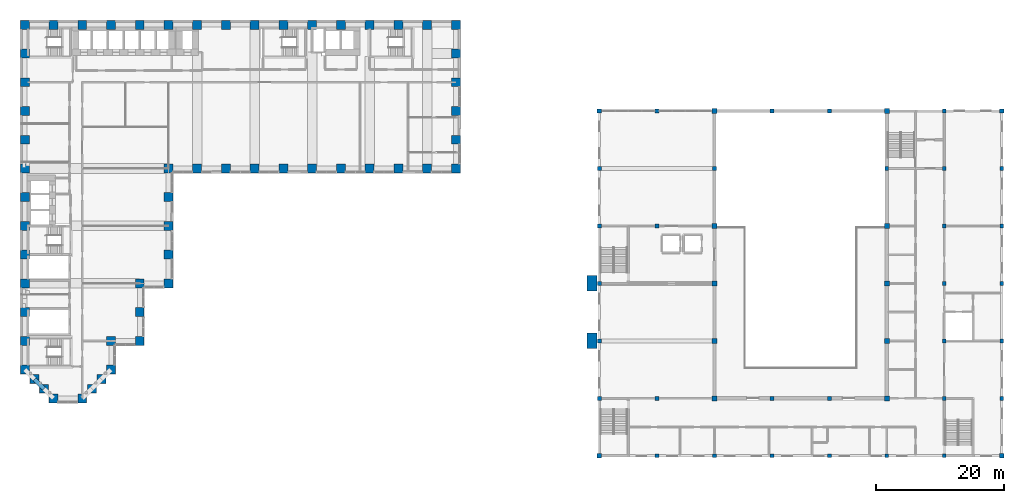
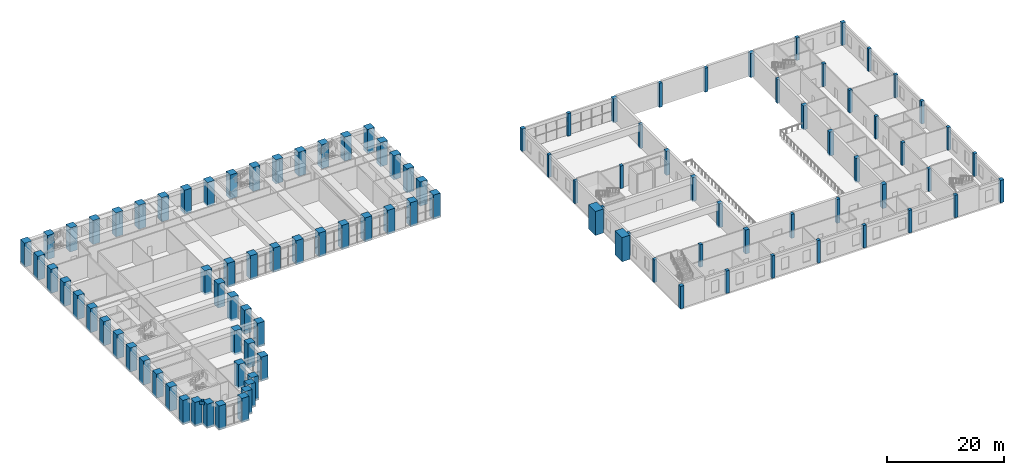
# One storey, part 1 of 34: 105 columns, 1 beam.
"""IFC4 building model written with IfcOpenShell, lengths in metres."""

from ifc_helpers import new_model, si_unit, direction, frame, origin, origin_2d, place, context, subcontext, project, spatial, rectangle, extrude, material, material_profile, profile_set, type_object, element, save


model = new_model("IFC4")

# Units and contexts
model_context = context("Model", 3, precision=1e-05, world=origin(), true_north=direction((0.0, 1.0)))
body_context = subcontext(model_context, "Body", "Model", "MODEL_VIEW")
ifc_project = project(units=[si_unit("LENGTHUNIT", "METRE"), si_unit("AREAUNIT", "SQUARE_METRE"), si_unit("VOLUMEUNIT", "CUBIC_METRE"), si_unit("PLANEANGLEUNIT", "RADIAN"), si_unit("MASSUNIT", "GRAM", prefix="KILO")], contexts=[model_context])

# Site, building, storey
site_placement = place(None, origin())
site = spatial("IfcSite", under=ifc_project, at=site_placement, CompositionType="ELEMENT")
building_placement = place(site_placement, origin())
building = spatial("IfcBuilding", under=site, at=building_placement, Name="Firuza Court", CompositionType="ELEMENT")
storey_placement = place(building_placement, frame((0.0, 0.0, 14.0)))
storey = spatial("IfcBuildingStorey", under=building, at=storey_placement, Name="L02", CompositionType="ELEMENT", Elevation=14.0)

# Columns
ifc_material_1 = material(Name="Concrete C40/50", Category="concrete")
ifc_material_profile_1 = material_profile(ifc_material_1, rectangle(XDim=0.60009765625, YDim=0.60009765625, at=origin_2d()), Name="RC 600X600")
ifc_profile_set_1 = profile_set([ifc_material_profile_1], Name="Concrete C40/50")
column_type_1 = type_object("IfcColumnType", Name="RC COLUMN 600X600", PredefinedType="COLUMN", material=ifc_profile_set_1)
for number, where, z_axis, x_axis, name in (
    (1, (90.0, 0.0, 0.0), (0.0, 0.0, 1.0), (1.0, 0.0, 0.0), "Column 1-2 L02"),
    (2, (90.0, 9.0, 0.0), (0.0, 0.0, 1.0), (1.0, 0.0, 0.0), "Column 1-3 L02"),
    (3, (90.0, 18.0, 0.0), (0.0, 0.0, 1.0), (1.0, 0.0, 0.0), "Column 1-4 L02"),
    (4, (90.0, 27.0, 0.0), (0.0, 0.0, 1.0), (1.0, 0.0, 0.0), "Column 1-5 L02"),
    (5, (90.0, 36.0, 0.0), (0.0, 0.0, 1.0), (1.0, 0.0, 0.0), "Column 1-6 L02"),
    (6, (99.0, -9.0, 0.0), (0.0, 0.0, 1.0), (1.0, 0.0, 0.0), "Column 2-1 L02"),
    (7, (99.0, 0.0, 0.0), (0.0, 0.0, 1.0), (1.0, 0.0, 0.0), "Column 2-2 L02"),
    (8, (99.0, 27.0, 0.0), (0.0, 0.0, 1.0), (1.0, 0.0, 0.0), "Column 2-5 L02"),
    (9, (99.0, 45.0, 0.0), (0.0, 0.0, 1.0), (1.0, 0.0, 0.0), "Column 2-7 L02"),
    (10, (108.0, -9.0, 0.0), (0.0, 0.0, 1.0), (1.0, 0.0, 0.0), "Column 3-1 L02"),
):
    element("IfcColumn", number, at=place(storey_placement, frame(where, z_axis=z_axis, x_axis=x_axis)), inside=storey, type_object=column_type_1, Name=name, PredefinedType="COLUMN", context=body_context, shape_type="SweptSolid", body=[
        extrude(rectangle(XDim=0.60009765625, YDim=0.60009765625, at=origin_2d()), origin(), (0.0, 0.0, 1.0), 4.699951171875),
    ])
column_1_placement = place(storey_placement, frame((108.0, 36.0, -0.300048828125), z_axis=(0.0, 0.0, 1.0), x_axis=(1.0, 0.0, 0.0)))
element("IfcColumn", 11, at=column_1_placement, inside=storey, type_object=column_type_1, Name="Column 3-6 L02", PredefinedType="COLUMN", context=body_context, shape_type="SweptSolid", body=[
    extrude(rectangle(XDim=0.60009765625, YDim=0.60009765625, at=origin_2d()), origin(), (0.0, 0.0, 1.0), 5.0),
])
column_2_placement = place(storey_placement, frame((117.0, -9.0, 0.0), z_axis=(0.0, 0.0, 1.0), x_axis=(1.0, 0.0, 0.0)))
element("IfcColumn", 12, at=column_2_placement, inside=storey, type_object=column_type_1, Name="Column 4-1 L02", PredefinedType="COLUMN", context=body_context, shape_type="SweptSolid", body=[
    extrude(rectangle(XDim=0.60009765625, YDim=0.60009765625, at=origin_2d()), origin(), (0.0, 0.0, 1.0), 4.699951171875),
])
for number, where, z_axis, x_axis, name in (
    (13, (117.0, 0.0, -0.300048828125), (0.0, 0.0, 1.0), (1.0, 0.0, 0.0), "Column 4-2 L02"),
    (14, (117.0, 45.0, -0.300048828125), (0.0, 0.0, 1.0), (1.0, 0.0, 0.0), "Column 4-7 L02"),
):
    element("IfcColumn", number, at=place(storey_placement, frame(where, z_axis=z_axis, x_axis=x_axis)), inside=storey, type_object=column_type_1, Name=name, PredefinedType="COLUMN", context=body_context, shape_type="SweptSolid", body=[
        extrude(rectangle(XDim=0.60009765625, YDim=0.60009765625, at=origin_2d()), origin(), (0.0, 0.0, 1.0), 5.0),
    ])
column_3_placement = place(storey_placement, frame((126.0, -9.0, 0.0), z_axis=(0.0, 0.0, 1.0), x_axis=(1.0, 0.0, 0.0)))
element("IfcColumn", 15, at=column_3_placement, inside=storey, type_object=column_type_1, Name="Column 5-1 L02", PredefinedType="COLUMN", context=body_context, shape_type="SweptSolid", body=[
    extrude(rectangle(XDim=0.60009765625, YDim=0.60009765625, at=origin_2d()), origin(), (0.0, 0.0, 1.0), 4.699951171875),
])
for number, where, z_axis, x_axis, name in (
    (16, (126.0, 0.0, -0.300048828125), (0.0, 0.0, 1.0), (1.0, 0.0, 0.0), "Column 5-2 L02"),
    (17, (126.0, 45.0, -0.300048828125), (0.0, 0.0, 1.0), (1.0, 0.0, 0.0), "Column 5-7 L02"),
):
    element("IfcColumn", number, at=place(storey_placement, frame(where, z_axis=z_axis, x_axis=x_axis)), inside=storey, type_object=column_type_1, Name=name, PredefinedType="COLUMN", context=body_context, shape_type="SweptSolid", body=[
        extrude(rectangle(XDim=0.60009765625, YDim=0.60009765625, at=origin_2d()), origin(), (0.0, 0.0, 1.0), 5.0),
    ])
column_4_placement = place(storey_placement, frame((135.0, -9.0, 0.0), z_axis=(0.0, 0.0, 1.0), x_axis=(1.0, 0.0, 0.0)))
element("IfcColumn", 18, at=column_4_placement, inside=storey, type_object=column_type_1, Name="Column 6-1 L02", PredefinedType="COLUMN", context=body_context, shape_type="SweptSolid", body=[
    extrude(rectangle(XDim=0.60009765625, YDim=0.60009765625, at=origin_2d()), origin(), (0.0, 0.0, 1.0), 4.699951171875),
])
column_5_placement = place(storey_placement, frame((135.0, 36.0, -0.300048828125), z_axis=(0.0, 0.0, 1.0), x_axis=(1.0, 0.0, 0.0)))
element("IfcColumn", 19, at=column_5_placement, inside=storey, type_object=column_type_1, Name="Column 6-6 L02", PredefinedType="COLUMN", context=body_context, shape_type="SweptSolid", body=[
    extrude(rectangle(XDim=0.60009765625, YDim=0.60009765625, at=origin_2d()), origin(), (0.0, 0.0, 1.0), 5.0),
])
for number, where, z_axis, x_axis, name in (
    (20, (144.0, -9.0, 0.0), (0.0, 0.0, 1.0), (1.0, 0.0, 0.0), "Column 7-1 L02"),
    (21, (144.0, 0.0, 0.0), (0.0, 0.0, 1.0), (1.0, 0.0, 0.0), "Column 7-2 L02"),
    (22, (144.0, 9.0, 0.0), (0.0, 0.0, 1.0), (1.0, 0.0, 0.0), "Column 7-3 L02"),
    (23, (144.0, 18.0, 0.0), (0.0, 0.0, 1.0), (1.0, 0.0, 0.0), "Column 7-4 L02"),
    (24, (144.0, 27.0, 0.0), (0.0, 0.0, 1.0), (1.0, 0.0, 0.0), "Column 7-5 L02"),
    (25, (144.0, 36.0, 0.0), (0.0, 0.0, 1.0), (1.0, 0.0, 0.0), "Column 7-6 L02"),
    (26, (144.0, 45.0, 0.0), (0.0, 0.0, 1.0), (1.0, 0.0, 0.0), "Column 7-7 L02"),
    (27, (153.0, 0.0, 0.0), (0.0, 0.0, 1.0), (1.0, 0.0, 0.0), "Column 8-2 L02"),
    (28, (153.0, 9.0, 0.0), (0.0, 0.0, 1.0), (1.0, 0.0, 0.0), "Column 8-3 L02"),
    (29, (153.0, 18.0, 0.0), (0.0, 0.0, 1.0), (1.0, 0.0, 0.0), "Column 8-4 L02"),
    (30, (153.0, 27.0, 0.0), (0.0, 0.0, 1.0), (1.0, 0.0, 0.0), "Column 8-5 L02"),
    (31, (153.0, 36.0, 0.0), (0.0, 0.0, 1.0), (1.0, 0.0, 0.0), "Column 8-6 L02"),
):
    element("IfcColumn", number, at=place(storey_placement, frame(where, z_axis=z_axis, x_axis=x_axis)), inside=storey, type_object=column_type_1, Name=name, PredefinedType="COLUMN", context=body_context, shape_type="SweptSolid", body=[
        extrude(rectangle(XDim=0.60009765625, YDim=0.60009765625, at=origin_2d()), origin(), (0.0, 0.0, 1.0), 4.699951171875),
    ])
ifc_material_2 = material(Name="Concrete C40/50", Category="concrete")
ifc_material_profile_2 = material_profile(ifc_material_2, rectangle(XDim=0.699951171875, YDim=0.699951171875, at=origin_2d()), Name="RC 700X700")
ifc_profile_set_2 = profile_set([ifc_material_profile_2], Name="Concrete C40/50")
column_type_2 = type_object("IfcColumnType", Name="RC COLUMN 700X700", PredefinedType="COLUMN", material=ifc_profile_set_2)
for number, where, z_axis, x_axis, name in (
    (32, (90.0, -9.0, 0.0), (0.0, 0.0, 1.0), (1.0, 0.0, 0.0), "Column 1-1 L02"),
    (33, (90.0, 45.0, 0.0), (0.0, 0.0, 1.0), (1.0, 0.0, 0.0), "Column 1-7 L02"),
    (34, (153.0, -9.0, 0.0), (0.0, 0.0, 1.0), (1.0, 0.0, 0.0), "Column 8-1 L02"),
    (35, (153.0, 45.0, 0.0), (0.0, 0.0, 1.0), (1.0, 0.0, 0.0), "Column 8-7 L02"),
):
    element("IfcColumn", number, at=place(storey_placement, frame(where, z_axis=z_axis, x_axis=x_axis)), inside=storey, type_object=column_type_2, Name=name, PredefinedType="COLUMN", context=body_context, shape_type="SweptSolid", body=[
        extrude(rectangle(XDim=0.699951171875, YDim=0.699951171875, at=origin_2d()), origin(), (0.0, 0.0, 1.0), 4.699951171875),
    ])
ifc_material_3 = material(Name="Concrete C40/50", Category="concrete")
ifc_material_profile_3 = material_profile(ifc_material_3, rectangle(XDim=0.800048828125, YDim=0.800048828125, at=origin_2d()), Name="RC 800X800")
ifc_profile_set_3 = profile_set([ifc_material_profile_3], Name="Concrete C40/50")
column_type_3 = type_object("IfcColumnType", Name="RC COLUMN 800X800", PredefinedType="COLUMN", material=ifc_profile_set_3)
for number, where, z_axis, x_axis, name in (
    (36, (108.0, 0.0, -0.300048828125), (0.0, 0.0, 1.0), (1.0, 0.0, 0.0), "Column 3-2 L02"),
    (37, (108.0, 9.0, -0.300048828125), (0.0, 0.0, 1.0), (1.0, 0.0, 0.0), "Column 3-3 L02"),
    (38, (108.0, 18.0, -0.300048828125), (0.0, 0.0, 1.0), (1.0, 0.0, 0.0), "Column 3-4 L02"),
    (39, (108.0, 27.0, -0.300048828125), (0.0, 0.0, 1.0), (1.0, 0.0, 0.0), "Column 3-5 L02"),
    (40, (108.0, 45.0, -0.300048828125), (0.0, 0.0, 1.0), (1.0, 0.0, 0.0), "Column 3-7 L02"),
    (41, (135.0, 0.0, -0.300048828125), (0.0, 0.0, 1.0), (1.0, 0.0, 0.0), "Column 6-2 L02"),
    (42, (135.0, 9.0, -0.300048828125), (0.0, 0.0, 1.0), (1.0, 0.0, 0.0), "Column 6-3 L02"),
    (43, (135.0, 18.0, -0.300048828125), (0.0, 0.0, 1.0), (1.0, 0.0, 0.0), "Column 6-4 L02"),
    (44, (135.0, 27.0, -0.300048828125), (0.0, 0.0, 1.0), (1.0, 0.0, 0.0), "Column 6-5 L02"),
    (45, (135.0, 45.0, -0.300048828125), (0.0, 0.0, 1.0), (1.0, 0.0, 0.0), "Column 6-7 L02"),
):
    element("IfcColumn", number, at=place(storey_placement, frame(where, z_axis=z_axis, x_axis=x_axis)), inside=storey, type_object=column_type_3, Name=name, PredefinedType="COLUMN", context=body_context, shape_type="SweptSolid", body=[
        extrude(rectangle(XDim=0.800048828125, YDim=0.800048828125, at=origin_2d()), origin(), (0.0, 0.0, 1.0), 5.0),
    ])
ifc_material_4 = material(Name="Concrete C40/50", Category="concrete")
ifc_material_profile_4 = material_profile(ifc_material_4, rectangle(XDim=1.60009765625, YDim=2.39990234375, at=origin_2d()), Name="RC 1600X2400")
ifc_profile_set_4 = profile_set([ifc_material_profile_4], Name="Concrete C40/50")
column_type_4 = type_object("IfcColumnType", Name="RC PORTAL PIER 1600X2400", PredefinedType="COLUMN", material=ifc_profile_set_4)
for number, where, z_axis, x_axis, name in (
    (46, (88.85009765625, 9.0, 0.0), (0.0, 0.0, 1.0), (1.0, 0.0, 0.0), "Portal pier 1 L02"),
    (47, (88.85009765625, 18.0, 0.0), (0.0, 0.0, 1.0), (1.0, 0.0, 0.0), "Portal pier 2 L02"),
):
    element("IfcColumn", number, at=place(storey_placement, frame(where, z_axis=z_axis, x_axis=x_axis)), inside=storey, type_object=column_type_4, Name=name, PredefinedType="COLUMN", context=body_context, shape_type="SweptSolid", body=[
        extrude(rectangle(XDim=1.60009765625, YDim=2.39990234375, at=origin_2d()), origin(), (0.0, 0.0, 1.0), 5.0),
    ])
ifc_material_5 = material(Name="Concrete C80/95", Category="concrete")
ifc_material_profile_5 = material_profile(ifc_material_5, rectangle(XDim=1.39990234375, YDim=1.39990234375, at=origin_2d()), Name="RC 1400x1400")
ifc_profile_set_5 = profile_set([ifc_material_profile_5], Name="Concrete C80/95")
column_type_5 = type_object("IfcColumnType", Name="Tube column RC 1400x1400 C80/95", PredefinedType="COLUMN", material=ifc_profile_set_5)
for number, where, z_axis, x_axis, name in (
    (48, (4.5, 0.0, -0.39990234375), (0.0, 0.0, 1.0), (1.0, 0.0, 0.0), "Column C-2D L02"),
    (49, (9.0, 0.0, -0.39990234375), (0.0, 0.0, 1.0), (1.0, 0.0, 0.0), "Column C-3D L02"),
    (50, (3.0, 1.5, -0.39990234375), (0.0, 0.0, 1.0), (1.0, 0.0, 0.0), "Column C-SA1 L02"),
    (51, (10.5, 1.5, -0.39990234375), (0.0, 0.0, 1.0), (1.0, 0.0, 0.0), "Column C-SA2 L02"),
    (52, (1.5, 3.0, -0.39990234375), (0.0, 0.0, 1.0), (1.0, 0.0, 0.0), "Column C-SA3 L02"),
    (53, (12.0, 3.0, -0.39990234375), (0.0, 0.0, 1.0), (1.0, 0.0, 0.0), "Column C-SA4 L02"),
    (54, (0.0, 4.5, -0.39990234375), (0.0, 0.0, 1.0), (1.0, 0.0, 0.0), "Column C-1E L02"),
    (55, (13.5, 4.5, -0.39990234375), (0.0, 0.0, 1.0), (1.0, 0.0, 0.0), "Column C-4E L02"),
    (56, (0.0, 9.0, -0.39990234375), (0.0, 0.0, 1.0), (1.0, 0.0, 0.0), "Column C-1F L02"),
    (57, (13.5, 9.0, -0.39990234375), (0.0, 0.0, 1.0), (1.0, 0.0, 0.0), "Column C-4F L02"),
    (58, (18.0, 9.0, -0.39990234375), (0.0, 0.0, 1.0), (1.0, 0.0, 0.0), "Column C-5F L02"),
    (59, (0.0, 13.5, -0.39990234375), (0.0, 0.0, 1.0), (1.0, 0.0, 0.0), "Column C-1G L02"),
    (60, (18.0, 13.5, -0.39990234375), (0.0, 0.0, 1.0), (1.0, 0.0, 0.0), "Column C-5G L02"),
    (61, (0.0, 18.0, -0.39990234375), (0.0, 0.0, 1.0), (1.0, 0.0, 0.0), "Column C-1H L02"),
    (62, (18.0, 18.0, -0.39990234375), (0.0, 0.0, 1.0), (1.0, 0.0, 0.0), "Column C-5H L02"),
    (63, (22.5, 18.0, -0.39990234375), (0.0, 0.0, 1.0), (1.0, 0.0, 0.0), "Column C-6H L02"),
    (64, (0.0, 22.5, -0.39990234375), (0.0, 0.0, 1.0), (1.0, 0.0, 0.0), "Column C-1J L02"),
    (65, (22.5, 22.5, -0.39990234375), (0.0, 0.0, 1.0), (1.0, 0.0, 0.0), "Column C-6J L02"),
    (66, (0.0, 27.0, -0.39990234375), (0.0, 0.0, 1.0), (1.0, 0.0, 0.0), "Column C-1K L02"),
    (67, (22.5, 27.0, -0.39990234375), (0.0, 0.0, 1.0), (1.0, 0.0, 0.0), "Column C-6K L02"),
    (68, (0.0, 31.5, -0.39990234375), (0.0, 0.0, 1.0), (1.0, 0.0, 0.0), "Column C-1L L02"),
    (69, (22.5, 31.5, -0.39990234375), (0.0, 0.0, 1.0), (1.0, 0.0, 0.0), "Column C-6L L02"),
    (70, (0.0, 36.0, -0.39990234375), (0.0, 0.0, 1.0), (1.0, 0.0, 0.0), "Column C-1M L02"),
    (71, (22.5, 36.0, -0.39990234375), (0.0, 0.0, 1.0), (1.0, 0.0, 0.0), "Column C-6M L02"),
    (72, (27.0, 36.0, -0.39990234375), (0.0, 0.0, 1.0), (1.0, 0.0, 0.0), "Column C-7M L02"),
    (73, (31.5, 36.0, -0.39990234375), (0.0, 0.0, 1.0), (1.0, 0.0, 0.0), "Column C-8M L02"),
    (74, (36.0, 36.0, -0.39990234375), (0.0, 0.0, 1.0), (1.0, 0.0, 0.0), "Column C-9M L02"),
    (75, (40.5, 36.0, -0.39990234375), (0.0, 0.0, 1.0), (1.0, 0.0, 0.0), "Column C-10M L02"),
    (76, (45.0, 36.0, -0.39990234375), (0.0, 0.0, 1.0), (1.0, 0.0, 0.0), "Column C-11M L02"),
    (77, (49.5, 36.0, -0.39990234375), (0.0, 0.0, 1.0), (1.0, 0.0, 0.0), "Column C-12M L02"),
    (78, (54.0, 36.0, -0.39990234375), (0.0, 0.0, 1.0), (1.0, 0.0, 0.0), "Column C-13M L02"),
    (79, (58.5, 36.0, -0.39990234375), (0.0, 0.0, 1.0), (1.0, 0.0, 0.0), "Column C-14M L02"),
    (80, (63.0, 36.0, -0.39990234375), (0.0, 0.0, 1.0), (1.0, 0.0, 0.0), "Column C-15M L02"),
    (81, (67.5, 36.0, -0.39990234375), (0.0, 0.0, 1.0), (1.0, 0.0, 0.0), "Column C-16M L02"),
    (82, (0.0, 40.5, -0.39990234375), (0.0, 0.0, 1.0), (1.0, 0.0, 0.0), "Column C-1N L02"),
    (83, (67.5, 40.5, -0.39990234375), (0.0, 0.0, 1.0), (1.0, 0.0, 0.0), "Column C-16N L02"),
    (84, (0.0, 45.0, -0.39990234375), (0.0, 0.0, 1.0), (1.0, 0.0, 0.0), "Column C-1P L02"),
    (85, (67.5, 45.0, -0.39990234375), (0.0, 0.0, 1.0), (1.0, 0.0, 0.0), "Column C-16P L02"),
    (86, (0.0, 49.5, -0.39990234375), (0.0, 0.0, 1.0), (1.0, 0.0, 0.0), "Column C-1Q L02"),
    (87, (67.5, 49.5, -0.39990234375), (0.0, 0.0, 1.0), (1.0, 0.0, 0.0), "Column C-16Q L02"),
    (88, (0.0, 54.0, -0.39990234375), (0.0, 0.0, 1.0), (1.0, 0.0, 0.0), "Column C-1R L02"),
    (89, (67.5, 54.0, -0.39990234375), (0.0, 0.0, 1.0), (1.0, 0.0, 0.0), "Column C-16R L02"),
    (90, (0.0, 58.5, -0.39990234375), (0.0, 0.0, 1.0), (1.0, 0.0, 0.0), "Column C-1S L02"),
    (91, (4.5, 58.5, -0.39990234375), (0.0, 0.0, 1.0), (1.0, 0.0, 0.0), "Column C-2S L02"),
    (92, (9.0, 58.5, -0.39990234375), (0.0, 0.0, 1.0), (1.0, 0.0, 0.0), "Column C-3S L02"),
    (93, (13.5, 58.5, -0.39990234375), (0.0, 0.0, 1.0), (1.0, 0.0, 0.0), "Column C-4S L02"),
    (94, (18.0, 58.5, -0.39990234375), (0.0, 0.0, 1.0), (1.0, 0.0, 0.0), "Column C-5S L02"),
    (95, (22.5, 58.5, -0.39990234375), (0.0, 0.0, 1.0), (1.0, 0.0, 0.0), "Column C-6S L02"),
    (96, (27.0, 58.5, -0.39990234375), (0.0, 0.0, 1.0), (1.0, 0.0, 0.0), "Column C-7S L02"),
    (97, (31.5, 58.5, -0.39990234375), (0.0, 0.0, 1.0), (1.0, 0.0, 0.0), "Column C-8S L02"),
    (98, (36.0, 58.5, -0.39990234375), (0.0, 0.0, 1.0), (1.0, 0.0, 0.0), "Column C-9S L02"),
    (99, (40.5, 58.5, -0.39990234375), (0.0, 0.0, 1.0), (1.0, 0.0, 0.0), "Column C-10S L02"),
    (100, (45.0, 58.5, -0.39990234375), (0.0, 0.0, 1.0), (1.0, 0.0, 0.0), "Column C-11S L02"),
    (101, (49.5, 58.5, -0.39990234375), (0.0, 0.0, 1.0), (1.0, 0.0, 0.0), "Column C-12S L02"),
    (102, (54.0, 58.5, -0.39990234375), (0.0, 0.0, 1.0), (1.0, 0.0, 0.0), "Column C-13S L02"),
    (103, (58.5, 58.5, -0.39990234375), (0.0, 0.0, 1.0), (1.0, 0.0, 0.0), "Column C-14S L02"),
    (104, (63.0, 58.5, -0.39990234375), (0.0, 0.0, 1.0), (1.0, 0.0, 0.0), "Column C-15S L02"),
    (105, (67.5, 58.5, -0.39990234375), (0.0, 0.0, 1.0), (1.0, 0.0, 0.0), "Column C-16S L02"),
):
    element("IfcColumn", number, at=place(storey_placement, frame(where, z_axis=z_axis, x_axis=x_axis)), inside=storey, type_object=column_type_5, Name=name, PredefinedType="COLUMN", context=body_context, shape_type="SweptSolid", body=[
        extrude(rectangle(XDim=1.39990234375, YDim=1.39990234375, at=origin_2d()), origin(), (0.0, 0.0, 1.0), 5.0),
    ])

# Beam
ifc_material_6 = material(Name="Concrete C40/50", Category="concrete")
ifc_material_profile_6 = material_profile(ifc_material_6, rectangle(XDim=0.699951171875, YDim=0.699951171875, at=origin_2d()), Name="RC 700x700")
ifc_profile_set_6 = profile_set([ifc_material_profile_6], Name="Concrete C40/50")
beam_type = type_object("IfcBeamType", Name="Spandrel beam RC 700x700 C40/50", PredefinedType="BEAM", material=ifc_profile_set_6)
beam_placement = place(storey_placement, frame((1.5, 3.0, 4.25), z_axis=(0.707106781187, -0.707106781187, 0.0), x_axis=(0.707106781187, 0.707106781187, 0.0)))
element("IfcBeam", 106, at=beam_placement, inside=storey, type_object=beam_type, Name="Spandrel beam SP8 level L03", PredefinedType="BEAM", context=body_context, shape_type="SweptSolid", body=[
    extrude(rectangle(XDim=0.699951171875, YDim=0.699951171875, at=origin_2d()), origin(), (0.0, 0.0, 1.0), 2.121337890625),
])

save(model, "model.ifc")
